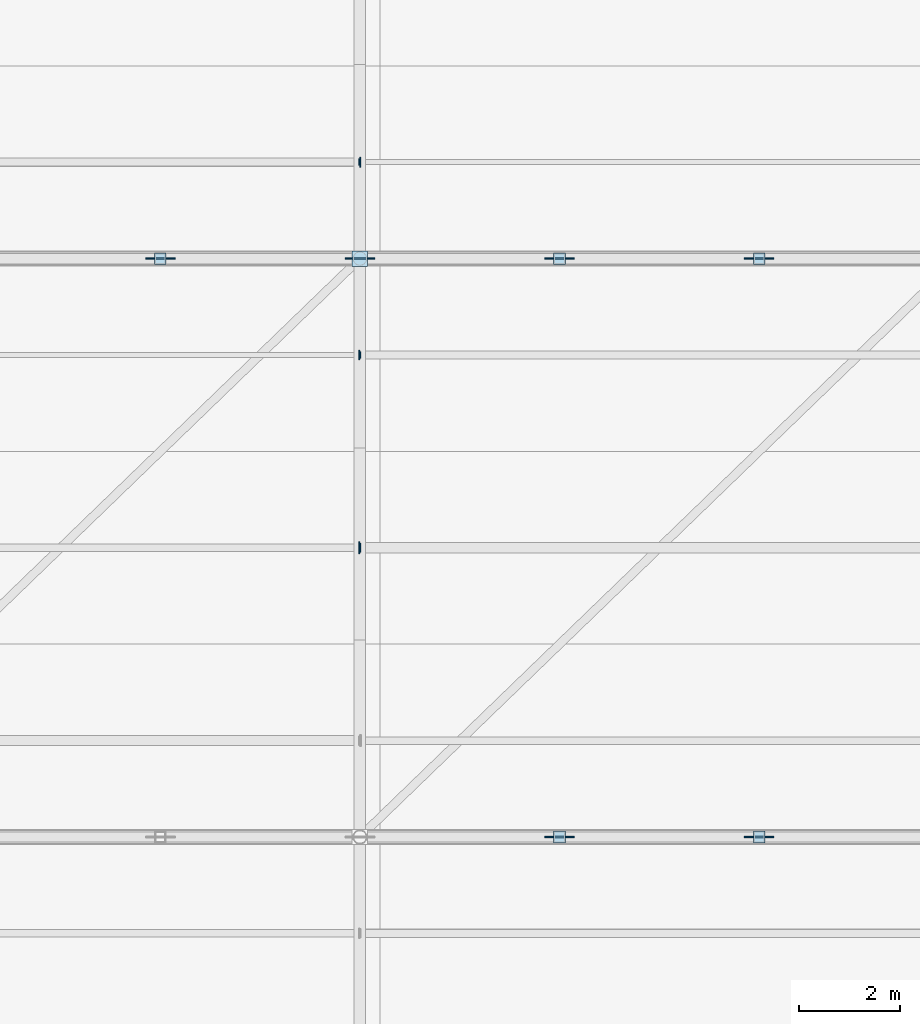
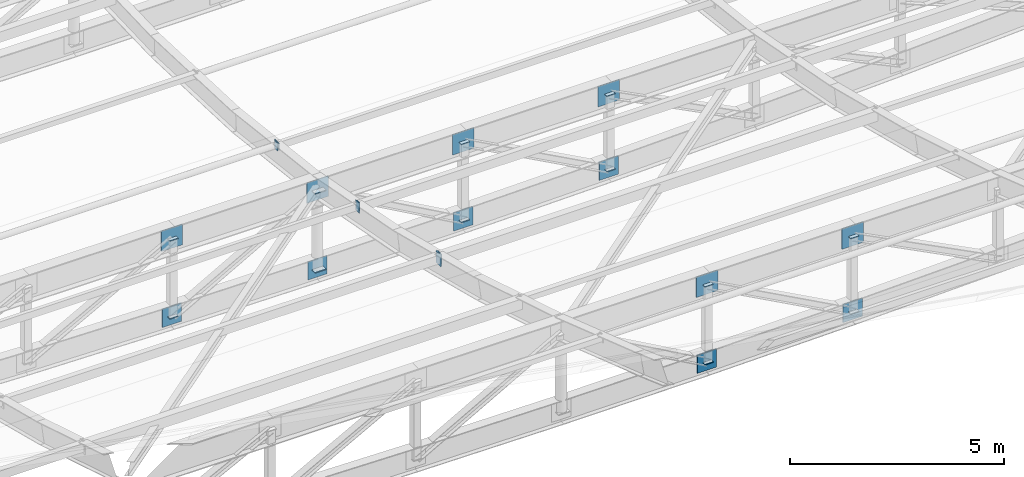
# One storey, part 46 of 65: 30 plates.
"""IFC4 building model written with IfcOpenShell, lengths in metres."""

from ifc_helpers import new_model, si_unit, direction, frame, origin, origin_2d, place, context, subcontext, project, spatial, rectangle, extrude, material, layer, layer_set, type_object, element, save


model = new_model("IFC4")

# Units and contexts
model_context = context("Model", 3, precision=1e-05, world=origin(), true_north=direction((0.0, 1.0)))
body_context = subcontext(model_context, "Body", "Model", "MODEL_VIEW")
ifc_project = project(units=[si_unit("LENGTHUNIT", "METRE"), si_unit("AREAUNIT", "SQUARE_METRE"), si_unit("VOLUMEUNIT", "CUBIC_METRE"), si_unit("PLANEANGLEUNIT", "RADIAN"), si_unit("MASSUNIT", "GRAM", prefix="KILO"), si_unit("POWERUNIT", "WATT"), si_unit("THERMODYNAMICTEMPERATUREUNIT", "KELVIN")], contexts=[model_context])

# Site, building, storey
site_placement = place(None, origin())
site = spatial("IfcSite", under=ifc_project, at=site_placement, CompositionType="ELEMENT")
building_placement = place(site_placement, origin())
building = spatial("IfcBuilding", under=site, at=building_placement, Name="Kelmbourne Parkland Aquatics Centre", CompositionType="ELEMENT")
storey_placement = place(building_placement, frame((0.0, 0.0, 27.0)))
storey = spatial("IfcBuildingStorey", under=building, at=storey_placement, Name="RF", CompositionType="ELEMENT", Elevation=27.0)

# Plates
ifc_material = material(Name="Welded plate steel AS/NZS 3678 Grade 350", Category="steel")
ifc_layer_1 = layer(ifc_material, 0.02001953125)
ifc_layer_set_1 = layer_set([ifc_layer_1], Name="Welded plate steel AS/NZS 3678 Grade 350")
plate_type_1 = type_object("IfcPlateType", Name="PL-CAP-20", PredefinedType="USERDEFINED", material=ifc_layer_set_1)
for number, where, z_axis, x_axis, name in (
    (1, (155.533203125, 35.0, -11.7919921875), (0.0, 0.0, 1.0), (1.0, 0.0, 0.0), "Hollow end cap plate CAP-0107"),
    (2, (155.533203125, 35.0, -9.567626953125), (0.0, 0.0, 1.0), (1.0, 0.0, 0.0), "Hollow end cap plate CAP-0108"),
    (3, (159.466796875, 35.0, -11.72119140625), (0.0, 0.0, 1.0), (1.0, 0.0, 0.0), "Hollow end cap plate CAP-0109"),
    (4, (159.466796875, 35.0, -9.567626953125), (0.0, 0.0, 1.0), (1.0, 0.0, 0.0), "Hollow end cap plate CAP-0110"),
    (5, (147.666748046875, 46.39990234375, -14.641357421875), (0.0, 0.0, 1.0), (1.0, 0.0, 0.0), "Hollow end cap plate CAP-0129"),
    (6, (147.666748046875, 46.39990234375, -12.4169921875), (0.0, 0.0, 1.0), (1.0, 0.0, 0.0), "Hollow end cap plate CAP-0130"),
    (7, (155.533203125, 46.39990234375, -14.641357421875), (0.0, 0.0, 1.0), (1.0, 0.0, 0.0), "Hollow end cap plate CAP-0133"),
    (8, (155.533203125, 46.39990234375, -12.4169921875), (0.0, 0.0, 1.0), (1.0, 0.0, 0.0), "Hollow end cap plate CAP-0134"),
    (9, (159.466796875, 46.39990234375, -14.570556640625), (0.0, 0.0, 1.0), (1.0, 0.0, 0.0), "Hollow end cap plate CAP-0135"),
    (10, (159.466796875, 46.39990234375, -12.4169921875), (0.0, 0.0, 1.0), (1.0, 0.0, 0.0), "Hollow end cap plate CAP-0136"),
):
    element("IfcPlate", number, at=place(storey_placement, frame(where, z_axis=z_axis, x_axis=x_axis)), inside=storey, type_object=plate_type_1, Name=name, ObjectType="END CAP PLATE", PredefinedType="USERDEFINED", context=body_context, shape_type="SweptSolid", body=[
        extrude(rectangle(XDim=0.22998046875, YDim=0.22998046875, at=origin_2d()), origin(), (0.0, 0.0, 1.0), 0.02001953125),
    ])
plate_1_placement = place(storey_placement, frame((151.60888671875, 40.699951171875, -11.04150390625), z_axis=(0.0, 0.0, 1.0), x_axis=(1.0, 0.0, 0.0)))
element("IfcPlate", 11, at=plate_1_placement, inside=storey, type_object=plate_type_1, Name="Hollow end cap plate CAP-0384", ObjectType="END CAP PLATE", PredefinedType="USERDEFINED", context=body_context, shape_type="SweptSolid", body=[
    extrude(rectangle(XDim=0.02001953125, YDim=0.179931640625, at=origin_2d()), origin(), (0.0, 0.0, 1.0), 0.280029296875),
])
plate_2_placement = place(storey_placement, frame((151.60888671875, 44.5, -11.83740234375), z_axis=(0.0, 0.0, 1.0), x_axis=(1.0, 0.0, 0.0)))
element("IfcPlate", 12, at=plate_2_placement, inside=storey, type_object=plate_type_1, Name="Hollow end cap plate CAP-0392", ObjectType="END CAP PLATE", PredefinedType="USERDEFINED", context=body_context, shape_type="SweptSolid", body=[
    extrude(rectangle(XDim=0.02001953125, YDim=0.1298828125, at=origin_2d()), origin(), (0.0, 0.0, 1.0), 0.22998046875),
])
plate_3_placement = place(storey_placement, frame((151.591064453125, 44.5, -11.8876953125), z_axis=(0.0, 0.0, 1.0), x_axis=(-1.0, 0.0, 0.0)))
element("IfcPlate", 13, at=plate_3_placement, inside=storey, type_object=plate_type_1, Name="Hollow end cap plate CAP-0393", ObjectType="END CAP PLATE", PredefinedType="USERDEFINED", context=body_context, shape_type="SweptSolid", body=[
    extrude(rectangle(XDim=0.02001953125, YDim=0.179931640625, at=origin_2d()), origin(), (0.0, 0.0, 1.0), 0.280029296875),
])
plate_4_placement = place(storey_placement, frame((151.60888671875, 48.300048828125, -12.394775390625), z_axis=(0.0, 0.0, 1.0), x_axis=(1.0, 0.0, 0.0)))
element("IfcPlate", 14, at=plate_4_placement, inside=storey, type_object=plate_type_1, Name="Hollow end cap plate CAP-0400", ObjectType="END CAP PLATE", PredefinedType="USERDEFINED", context=body_context, shape_type="SweptSolid", body=[
    extrude(rectangle(XDim=0.02001953125, YDim=0.1982421875, at=origin_2d()), origin(), (0.0, 0.0, 1.0), 0.1982421875),
])
plate_5_placement = place(storey_placement, frame((151.591064453125, 48.300048828125, -12.426513671875), z_axis=(0.0, 0.0, 1.0), x_axis=(-1.0, 0.0, 0.0)))
element("IfcPlate", 15, at=plate_5_placement, inside=storey, type_object=plate_type_1, Name="Hollow end cap plate CAP-0401", ObjectType="END CAP PLATE", PredefinedType="USERDEFINED", context=body_context, shape_type="SweptSolid", body=[
    extrude(rectangle(XDim=0.02001953125, YDim=0.1298828125, at=origin_2d()), origin(), (0.0, 0.0, 1.0), 0.22998046875),
])
ifc_layer_2 = layer(ifc_material, 0.02392578125)
ifc_layer_set_2 = layer_set([ifc_layer_2], Name="Welded plate steel AS/NZS 3678 Grade 350")
plate_type_2 = type_object("IfcPlateType", Name="PL-CAP-24", PredefinedType="USERDEFINED", material=ifc_layer_set_2)
for number, where, z_axis, x_axis, name in (
    (16, (151.60009765625, 46.39990234375, -14.6689453125), (0.0, 0.0, 1.0), (1.0, 0.0, 0.0), "Hollow end cap plate CAP-0131"),
    (17, (151.60009765625, 46.39990234375, -12.416748046875), (0.0, 0.0, 1.0), (1.0, 0.0, 0.0), "Hollow end cap plate CAP-0132"),
):
    element("IfcPlate", number, at=place(storey_placement, frame(where, z_axis=z_axis, x_axis=x_axis)), inside=storey, type_object=plate_type_2, Name=name, ObjectType="END CAP PLATE", PredefinedType="USERDEFINED", context=body_context, shape_type="SweptSolid", body=[
        extrude(rectangle(XDim=0.302978515625, YDim=0.302978515625, at=origin_2d()), origin(), (0.0, 0.0, 1.0), 0.02392578125),
    ])
plate_6_placement = place(storey_placement, frame((151.589111328125, 40.699951171875, -11.09130859375), z_axis=(0.0, 0.0, 1.0), x_axis=(-1.0, 0.0, 0.0)))
element("IfcPlate", 18, at=plate_6_placement, inside=storey, type_object=plate_type_2, Name="Hollow end cap plate CAP-0385", ObjectType="END CAP PLATE", PredefinedType="USERDEFINED", context=body_context, shape_type="SweptSolid", body=[
    extrude(rectangle(XDim=0.02392578125, YDim=0.22998046875, at=origin_2d()), origin(), (0.0, 0.0, 1.0), 0.330078125),
])
ifc_layer_3 = layer(ifc_material, 0.02490234375)
ifc_layer_set_3 = layer_set([ifc_layer_3], Name="Welded plate steel AS/NZS 3678 Grade 350")
plate_type_3 = type_object("IfcPlateType", Name="PL-GUS-2", PredefinedType="USERDEFINED", material=ifc_layer_set_3)
plate_7_placement = place(storey_placement, frame((151.60009765625, 46.39990234375, -12.7060546875), z_axis=(0.0, 0.0, 1.0), x_axis=(1.0, 0.0, 0.0)))
element("IfcPlate", 19, at=plate_7_placement, inside=storey, type_object=plate_type_3, Name="Truss top node TN-2 gusset plate R04-N6", ObjectType="GUSSET PLATE", PredefinedType="USERDEFINED", context=body_context, shape_type="SweptSolid", body=[
    extrude(rectangle(XDim=0.580078125, YDim=0.02490234375, at=origin_2d()), origin(), (0.0, 0.0, 1.0), 0.580078125),
])
plate_8_placement = place(storey_placement, frame((151.60009765625, 46.39990234375, -14.906005859375), z_axis=(0.0, 0.0, 1.0), x_axis=(1.0, 0.0, 0.0)))
element("IfcPlate", 20, at=plate_8_placement, inside=storey, type_object=plate_type_3, Name="Truss bottom node TN-2 gusset plate R04-B6", ObjectType="GUSSET PLATE", PredefinedType="USERDEFINED", context=body_context, shape_type="SweptSolid", body=[
    extrude(rectangle(XDim=0.52001953125, YDim=0.02490234375, at=origin_2d()), origin(), (0.0, 0.0, 1.0), 0.52001953125),
])
ifc_layer_4 = layer(ifc_material, 0.031982421875)
ifc_layer_set_4 = layer_set([ifc_layer_4], Name="Welded plate steel AS/NZS 3678 Grade 350")
plate_type_4 = type_object("IfcPlateType", Name="PL-GUS-3", PredefinedType="USERDEFINED", material=ifc_layer_set_4)
plate_9_placement = place(storey_placement, frame((155.533203125, 35.0, -9.856689453125), z_axis=(0.0, 0.0, 1.0), x_axis=(1.0, 0.0, 0.0)))
element("IfcPlate", 21, at=plate_9_placement, inside=storey, type_object=plate_type_4, Name="Truss top node TN-3 gusset plate R03-N7", ObjectType="GUSSET PLATE", PredefinedType="USERDEFINED", context=body_context, shape_type="SweptSolid", body=[
    extrude(rectangle(XDim=0.580078125, YDim=0.031982421875, at=origin_2d()), origin(), (0.0, 0.0, 1.0), 0.580078125),
])
plate_10_placement = place(storey_placement, frame((155.533203125, 35.0, -12.033203125), z_axis=(0.0, 0.0, 1.0), x_axis=(1.0, 0.0, 0.0)))
element("IfcPlate", 22, at=plate_10_placement, inside=storey, type_object=plate_type_4, Name="Truss bottom node TN-3 gusset plate R03-B7", ObjectType="GUSSET PLATE", PredefinedType="USERDEFINED", context=body_context, shape_type="SweptSolid", body=[
    extrude(rectangle(XDim=0.52001953125, YDim=0.031982421875, at=origin_2d()), origin(), (0.0, 0.0, 1.0), 0.52001953125),
])
plate_11_placement = place(storey_placement, frame((159.466796875, 35.0, -9.856689453125), z_axis=(0.0, 0.0, 1.0), x_axis=(1.0, 0.0, 0.0)))
element("IfcPlate", 23, at=plate_11_placement, inside=storey, type_object=plate_type_4, Name="Truss top node TN-3 gusset plate R03-N8", ObjectType="GUSSET PLATE", PredefinedType="USERDEFINED", context=body_context, shape_type="SweptSolid", body=[
    extrude(rectangle(XDim=0.580078125, YDim=0.031982421875, at=origin_2d()), origin(), (0.0, 0.0, 1.0), 0.580078125),
])
plate_12_placement = place(storey_placement, frame((159.466796875, 35.0, -11.96240234375), z_axis=(0.0, 0.0, 1.0), x_axis=(1.0, 0.0, 0.0)))
element("IfcPlate", 24, at=plate_12_placement, inside=storey, type_object=plate_type_4, Name="Truss bottom node TN-3 gusset plate R03-B8", ObjectType="GUSSET PLATE", PredefinedType="USERDEFINED", context=body_context, shape_type="SweptSolid", body=[
    extrude(rectangle(XDim=0.52001953125, YDim=0.031982421875, at=origin_2d()), origin(), (0.0, 0.0, 1.0), 0.52001953125),
])
plate_13_placement = place(storey_placement, frame((147.666748046875, 46.39990234375, -12.7060546875), z_axis=(0.0, 0.0, 1.0), x_axis=(1.0, 0.0, 0.0)))
element("IfcPlate", 25, at=plate_13_placement, inside=storey, type_object=plate_type_4, Name="Truss top node TN-3 gusset plate R04-N5", ObjectType="GUSSET PLATE", PredefinedType="USERDEFINED", context=body_context, shape_type="SweptSolid", body=[
    extrude(rectangle(XDim=0.580078125, YDim=0.031982421875, at=origin_2d()), origin(), (0.0, 0.0, 1.0), 0.580078125),
])
plate_14_placement = place(storey_placement, frame((147.666748046875, 46.39990234375, -14.88232421875), z_axis=(0.0, 0.0, 1.0), x_axis=(1.0, 0.0, 0.0)))
element("IfcPlate", 26, at=plate_14_placement, inside=storey, type_object=plate_type_4, Name="Truss bottom node TN-3 gusset plate R04-B5", ObjectType="GUSSET PLATE", PredefinedType="USERDEFINED", context=body_context, shape_type="SweptSolid", body=[
    extrude(rectangle(XDim=0.52001953125, YDim=0.031982421875, at=origin_2d()), origin(), (0.0, 0.0, 1.0), 0.52001953125),
])
plate_15_placement = place(storey_placement, frame((155.533203125, 46.39990234375, -12.7060546875), z_axis=(0.0, 0.0, 1.0), x_axis=(1.0, 0.0, 0.0)))
element("IfcPlate", 27, at=plate_15_placement, inside=storey, type_object=plate_type_4, Name="Truss top node TN-3 gusset plate R04-N7", ObjectType="GUSSET PLATE", PredefinedType="USERDEFINED", context=body_context, shape_type="SweptSolid", body=[
    extrude(rectangle(XDim=0.580078125, YDim=0.031982421875, at=origin_2d()), origin(), (0.0, 0.0, 1.0), 0.580078125),
])
plate_16_placement = place(storey_placement, frame((155.533203125, 46.39990234375, -14.88232421875), z_axis=(0.0, 0.0, 1.0), x_axis=(1.0, 0.0, 0.0)))
element("IfcPlate", 28, at=plate_16_placement, inside=storey, type_object=plate_type_4, Name="Truss bottom node TN-3 gusset plate R04-B7", ObjectType="GUSSET PLATE", PredefinedType="USERDEFINED", context=body_context, shape_type="SweptSolid", body=[
    extrude(rectangle(XDim=0.52001953125, YDim=0.031982421875, at=origin_2d()), origin(), (0.0, 0.0, 1.0), 0.52001953125),
])
plate_17_placement = place(storey_placement, frame((159.466796875, 46.39990234375, -12.7060546875), z_axis=(0.0, 0.0, 1.0), x_axis=(1.0, 0.0, 0.0)))
element("IfcPlate", 29, at=plate_17_placement, inside=storey, type_object=plate_type_4, Name="Truss top node TN-3 gusset plate R04-N8", ObjectType="GUSSET PLATE", PredefinedType="USERDEFINED", context=body_context, shape_type="SweptSolid", body=[
    extrude(rectangle(XDim=0.580078125, YDim=0.031982421875, at=origin_2d()), origin(), (0.0, 0.0, 1.0), 0.580078125),
])
plate_18_placement = place(storey_placement, frame((159.466796875, 46.39990234375, -14.8115234375), z_axis=(0.0, 0.0, 1.0), x_axis=(1.0, 0.0, 0.0)))
element("IfcPlate", 30, at=plate_18_placement, inside=storey, type_object=plate_type_4, Name="Truss bottom node TN-3 gusset plate R04-B8", ObjectType="GUSSET PLATE", PredefinedType="USERDEFINED", context=body_context, shape_type="SweptSolid", body=[
    extrude(rectangle(XDim=0.52001953125, YDim=0.031982421875, at=origin_2d()), origin(), (0.0, 0.0, 1.0), 0.52001953125),
])

save(model, "model.ifc")
